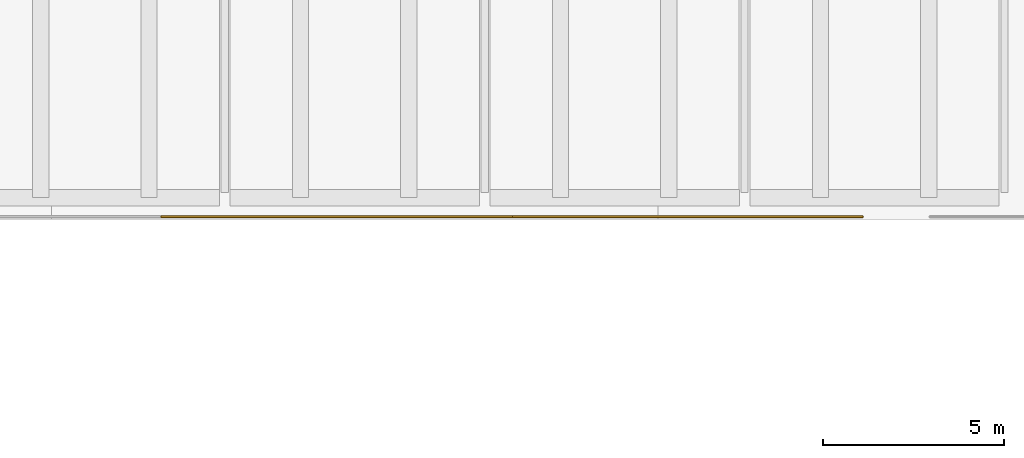
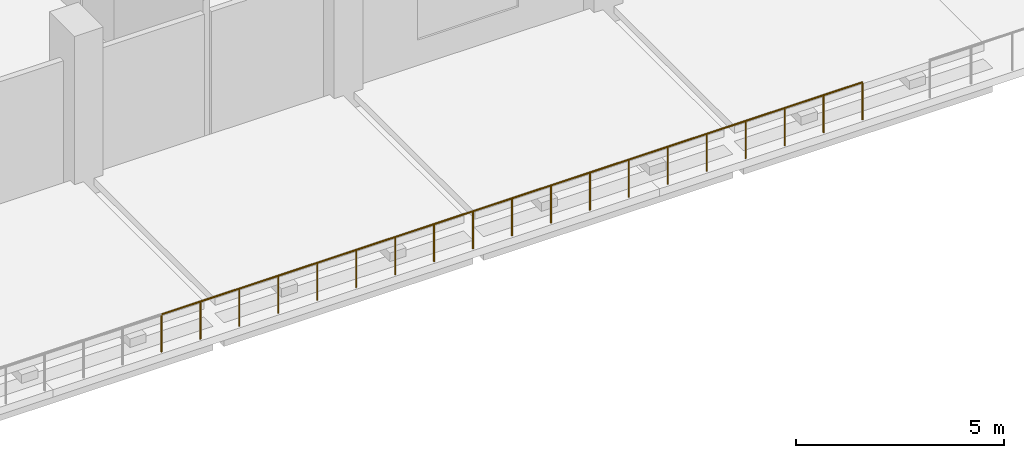
# One storey, part 65 of 71: 2 railings.
"""IFC4 building model written with IfcOpenShell, lengths in metres."""

import ifcopenshell
import ifcopenshell.guid

model = None  # the IFC model being written
_history = None  # IfcOwnerHistory: only IFC2X3 demands one
_inside = {}  # id of a spatial element -> (the spatial element, [elements in it])
_under = {}  # id of a project, library or spatial element -> (it, [spatial elements below it])
_declared = {}  # id of a project -> (the project, [libraries it declares])
_typed = {}  # id of a type object -> (the type object, [elements of that type])
_made_of = {}  # id of a material, layer set ... -> (it, [elements and type objects made of it])


def new_model(schema):
    """Start an empty IFC model of exactly this schema.

    Asked for "IFC4X3", IfcOpenShell would pick the latest addendum, in which some entities
    have other attributes; the version numbers below select the first issue.
    IFC2X3 requires an IfcOwnerHistory on every rooted entity: one is made here for all.
    """
    global model, _history
    if schema == "IFC4X3":
        model = ifcopenshell.file(schema_version=(4, 3, 0, 0))
    else:
        model = ifcopenshell.file(schema=schema)
    _inside.clear()
    _under.clear()
    _declared.clear()
    _typed.clear()
    _made_of.clear()
    _history = None
    if model.schema == "IFC2X3":
        org = make("IfcOrganization", Name="unknown")
        user = make(
            "IfcPersonAndOrganization",
            ThePerson=make("IfcPerson", FamilyName="unknown"),
            TheOrganization=org,
        )
        app = make(
            "IfcApplication",
            ApplicationDeveloper=org,
            Version="unknown",
            ApplicationFullName="unknown",
            ApplicationIdentifier="unknown",
        )
        _history = make(
            "IfcOwnerHistory",
            OwningUser=user,
            OwningApplication=app,
            ChangeAction="ADDED",
            CreationDate=0,
        )
    return model


def make(cls, **values):
    """One entity of the class cls with the attributes given. An attribute that is None is left unset."""
    return model.create_entity(
        cls, **{name: value for name, value in values.items() if value is not None}
    )


def rooted(cls, **values):
    """An entity with a GlobalId (a new one), such as an element, a storey or a relation."""
    return make(cls, GlobalId=ifcopenshell.guid.new(), OwnerHistory=_history, **values)


def si_unit(unit_type, name, prefix=None):
    """IfcSIUnit, for example si_unit("LENGTHUNIT", "METRE", prefix="MILLI")."""
    return make("IfcSIUnit", UnitType=unit_type, Prefix=prefix, Name=name)


def assignment(units):
    """IfcUnitAssignment: the units of a project."""
    return None if units is None else make("IfcUnitAssignment", Units=units)


def point(xyz):
    """IfcCartesianPoint."""
    return None if xyz is None else make("IfcCartesianPoint", Coordinates=xyz)


def direction(xyz):
    """IfcDirection."""
    return None if xyz is None else make("IfcDirection", DirectionRatios=xyz)


def frame(location, z_axis=None, x_axis=None):
    """IfcAxis2Placement3D, a coordinate frame: its origin and axes. An axis left out is left unset."""
    return make(
        "IfcAxis2Placement3D",
        Location=point(location),
        Axis=direction(z_axis),
        RefDirection=direction(x_axis),
    )


def frame_2d(location, x_axis=None):
    """IfcAxis2Placement2D, a coordinate frame in the plane: its origin and x axis."""
    return make(
        "IfcAxis2Placement2D", Location=point(location), RefDirection=direction(x_axis)
    )


def origin():
    """The frame at (0, 0, 0) with its axes left unset."""
    return frame((0.0, 0.0, 0.0))


def origin_2d():
    """The frame at (0, 0) in the plane with its x axis left unset."""
    return frame_2d((0.0, 0.0))


def place(relative_to, where):
    """IfcLocalPlacement: puts the frame where relative to a parent placement (None: the world)."""
    return make(
        "IfcLocalPlacement", PlacementRelTo=relative_to, RelativePlacement=where
    )


def context(
    kind, dimensions, precision=None, world=None, true_north=None, identifier=None
):
    """IfcGeometricRepresentationContext, for example the 3D "Model" context."""
    return make(
        "IfcGeometricRepresentationContext",
        ContextIdentifier=identifier,
        ContextType=kind,
        CoordinateSpaceDimension=dimensions,
        Precision=precision,
        WorldCoordinateSystem=world,
        TrueNorth=true_north,
    )


def subcontext(parent, identifier, kind, view, scale=None):
    """IfcGeometricRepresentationSubContext, for example "Body" below "Model"."""
    return make(
        "IfcGeometricRepresentationSubContext",
        ContextIdentifier=identifier,
        ContextType=kind,
        ParentContext=parent,
        TargetScale=scale,
        TargetView=view,
    )


def project(units=None, contexts=None):
    """IfcProject with its units and contexts."""
    return rooted(
        "IfcProject",
        Name="project",
        RepresentationContexts=contexts,
        UnitsInContext=assignment(units),
    )


def spatial(cls, under=None, at=None, **own):
    """A site, building, storey or space (cls), placed at a placement, below another one or the project."""
    s = rooted(cls, ObjectPlacement=at, **own)
    if under is not None:
        _under.setdefault(under.id(), (under, []))[1].append(s)
    return s


def profile(cls, at=None, kind="AREA", **sizes):
    """A parametric profile (cls). Its sizes go by their IFC names, for example OverallWidth=200.0."""
    return make(cls, ProfileType=kind, Position=at, **sizes)


def circle(**sizes):
    """IfcCircleProfileDef."""
    return profile("IfcCircleProfileDef", **sizes)


def extrude(swept, where, along, depth):
    """IfcExtrudedAreaSolid: the profile swept, set in the frame where, extruded along a direction by depth."""
    return make(
        "IfcExtrudedAreaSolid",
        SweptArea=swept,
        Position=where,
        ExtrudedDirection=direction(along),
        Depth=depth,
    )


def shape(context_of_items, identifier, shape_type, items):
    """IfcShapeRepresentation: the items that make up one representation, for example the "Body"."""
    return make(
        "IfcShapeRepresentation",
        ContextOfItems=context_of_items,
        RepresentationIdentifier=identifier,
        RepresentationType=shape_type,
        Items=items,
    )


def material(Name=None, Category=None):
    """IfcMaterial."""
    return make("IfcMaterial", Name=Name, Category=Category)


def made_of(thing, what):
    """Note that an element or type object is made of a material, layer set ...; save() writes the relation."""
    if what is not None:
        _made_of.setdefault(what.id(), (what, []))[1].append(thing)
    return thing


def type_object(cls, material=None, **own):
    """A type object (cls), such as IfcWallType, which elements share."""
    return made_of(rooted(cls, **own), material)


def element(
    cls,
    number,
    at=None,
    inside=None,
    cuts=None,
    type_object=None,
    material=None,
    context=None,
    identifier="Body",
    shape_type=None,
    held_by="IfcProductDefinitionShape",
    body=None,
    shapes=None,
    **own,
):
    """One element of the class cls, such as IfcWall. Its Tag is "e" and its number.

    at: its placement. inside: the storey or other place that contains it. cuts: it is an
    opening in that element (IfcRelVoidsElement). A single representation is given by context,
    identifier, shape_type and body (its items); several are given by shapes. held_by: the class
    of the entity that holds the representations. save() writes the other relations.
    """
    e = rooted(cls, Tag="e%d" % number, ObjectPlacement=at, **own)
    if body is not None:
        shapes = [shape(context, identifier, shape_type, body)]
    if shapes is not None:
        e.Representation = make(held_by, Representations=shapes)
    if inside is not None:
        _inside.setdefault(inside.id(), (inside, []))[1].append(e)
    if cuts is not None:
        rooted(
            "IfcRelVoidsElement", RelatingBuildingElement=cuts, RelatedOpeningElement=e
        )
    if type_object is not None:
        _typed.setdefault(type_object.id(), (type_object, []))[1].append(e)
    return made_of(e, material)


def aggregate(whole, parts):
    """IfcRelAggregates: a whole, such as a stair, and the parts it consists of."""
    return rooted("IfcRelAggregates", RelatingObject=whole, RelatedObjects=parts)


def save(model, path):
    """Write the relations noted so far, then the file.

    IfcRelAggregates (storeys below a building ...), IfcRelContainedInSpatialStructure (elements
    in a storey), IfcRelDefinesByType, IfcRelAssociatesMaterial and IfcRelDeclares: one each for
    every whole, place, type object, material and project.
    """
    for whole, parts in _under.values():
        aggregate(whole, parts)
    for where, things in _inside.values():
        rooted(
            "IfcRelContainedInSpatialStructure",
            RelatedElements=things,
            RelatingStructure=where,
        )
    for kind, things in _typed.values():
        rooted("IfcRelDefinesByType", RelatedObjects=things, RelatingType=kind)
    for what, things in _made_of.values():
        rooted("IfcRelAssociatesMaterial", RelatedObjects=things, RelatingMaterial=what)
    for by, libraries in _declared.values():
        rooted("IfcRelDeclares", RelatingContext=by, RelatedDefinitions=libraries)
    model.write(path)


model = new_model("IFC4")

# Units and contexts
model_context = context("Model", 3, precision=1e-05, world=origin(), true_north=direction((0.0, 1.0)))
body_context = subcontext(model_context, "Body", "Model", "MODEL_VIEW")
ifc_project = project(units=[si_unit("LENGTHUNIT", "METRE"), si_unit("AREAUNIT", "SQUARE_METRE"), si_unit("VOLUMEUNIT", "CUBIC_METRE"), si_unit("PLANEANGLEUNIT", "RADIAN"), si_unit("MASSUNIT", "GRAM", prefix="KILO")], contexts=[model_context])

# Site, building, storey
site_placement = place(None, origin())
site = spatial("IfcSite", under=ifc_project, at=site_placement, CompositionType="ELEMENT")
building_placement = place(site_placement, origin())
building = spatial("IfcBuilding", under=site, at=building_placement, Name="Sardonyx Promenade Sports Hall", CompositionType="ELEMENT")
storey_placement = place(building_placement, frame((0.0, 0.0, 16.0)))
storey = spatial("IfcBuildingStorey", under=building, at=storey_placement, Name="L03", CompositionType="ELEMENT", Elevation=16.0)

# Railings
ifc_material = material(Name="Powder-coated Steel S355JR", Category="steel")
railing_type = type_object("IfcRailingType", Name="Rail_Int_Guard_1100", PredefinedType="GUARDRAIL", material=ifc_material)
for number, where, name in (
    (1, (48.643310546875, 97.27001953125, 0.0), "Deck-edge guardrail GR02 L03 #70"),
    (2, (58.356689453125, 97.27001953125, 0.0), "Deck-edge guardrail GR02 L03 #71"),
):
    element("IfcRailing", number, at=place(storey_placement, frame(where)), inside=storey, type_object=railing_type, Name=name, PredefinedType="GUARDRAIL", context=body_context, shape_type="SweptSolid", body=[
        extrude(circle(Radius=0.02392578125, at=origin_2d()), frame((0.0, 0.0, 1.09619140625), z_axis=(1.0, 0.0, 0.0), x_axis=(0.0, 1.0, 0.0)), (0.0, 0.0, 1.0), 9.71337890625),
        extrude(circle(Radius=0.02099609375, at=origin_2d()), origin(), (0.0, 0.0, 1.0), 1.072021484375),
        extrude(circle(Radius=0.02099609375, at=origin_2d()), frame((1.079345703125, 0.0, 0.0)), (0.0, 0.0, 1.0), 1.072021484375),
        extrude(circle(Radius=0.02099609375, at=origin_2d()), frame((2.158447265625, 0.0, 0.0)), (0.0, 0.0, 1.0), 1.072021484375),
        extrude(circle(Radius=0.02099609375, at=origin_2d()), frame((3.23779296875, 0.0, 0.0)), (0.0, 0.0, 1.0), 1.072021484375),
        extrude(circle(Radius=0.02099609375, at=origin_2d()), frame((4.317138671875, 0.0, 0.0)), (0.0, 0.0, 1.0), 1.072021484375),
        extrude(circle(Radius=0.02099609375, at=origin_2d()), frame((5.396240234375, 0.0, 0.0)), (0.0, 0.0, 1.0), 1.072021484375),
        extrude(circle(Radius=0.02099609375, at=origin_2d()), frame((6.4755859375, 0.0, 0.0)), (0.0, 0.0, 1.0), 1.072021484375),
        extrude(circle(Radius=0.02099609375, at=origin_2d()), frame((7.554931640625, 0.0, 0.0)), (0.0, 0.0, 1.0), 1.072021484375),
        extrude(circle(Radius=0.02099609375, at=origin_2d()), frame((8.634033203125, 0.0, 0.0)), (0.0, 0.0, 1.0), 1.072021484375),
        extrude(circle(Radius=0.02099609375, at=origin_2d()), frame((9.71337890625, 0.0, 0.0)), (0.0, 0.0, 1.0), 1.072021484375),
    ])

save(model, "model.ifc")
